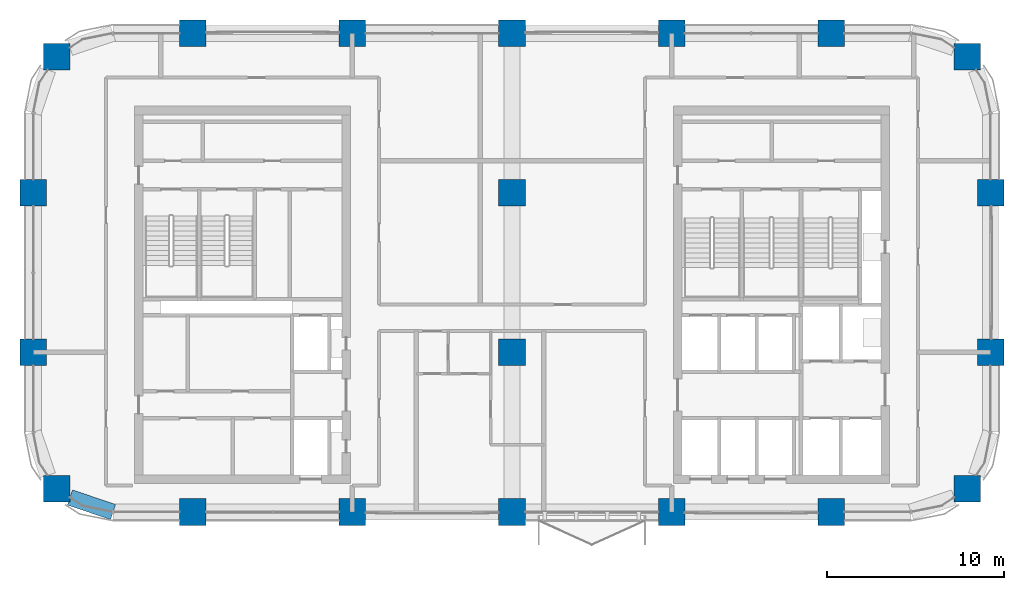
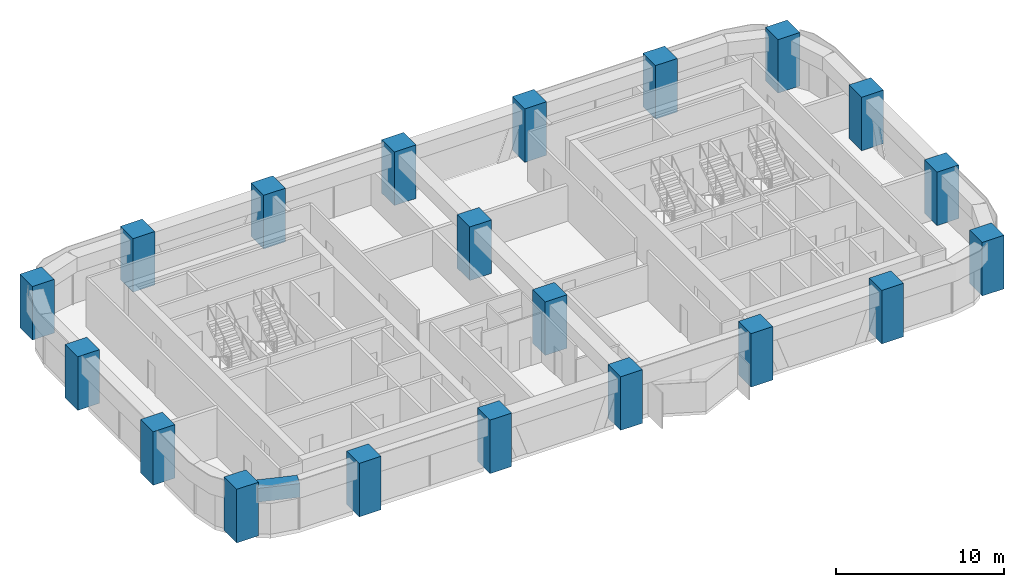
# One storey, part 1 of 14: 20 columns, 1 beam.
"""IFC4 building model written with IfcOpenShell, lengths in metres."""

from ifc_helpers import new_model, si_unit, direction, frame, origin, origin_2d, place, context, subcontext, project, spatial, rectangle, extrude, material, material_profile, profile_set, type_object, element, save


model = new_model("IFC4")

# Units and contexts
model_context = context("Model", 3, precision=1e-05, world=origin(), true_north=direction((0.0, 1.0)))
body_context = subcontext(model_context, "Body", "Model", "MODEL_VIEW")
ifc_project = project(units=[si_unit("LENGTHUNIT", "METRE"), si_unit("AREAUNIT", "SQUARE_METRE"), si_unit("VOLUMEUNIT", "CUBIC_METRE"), si_unit("PLANEANGLEUNIT", "RADIAN"), si_unit("MASSUNIT", "GRAM", prefix="KILO")], contexts=[model_context])

# Site, building, storey
site_placement = place(None, origin())
site = spatial("IfcSite", under=ifc_project, at=site_placement, CompositionType="ELEMENT")
building_placement = place(site_placement, origin())
building = spatial("IfcBuilding", under=site, at=building_placement, Name="Tessera Arch", CompositionType="ELEMENT")
storey_placement = place(building_placement, frame((0.0, 0.0, 146.60009765625)))
storey = spatial("IfcBuildingStorey", under=building, at=storey_placement, Name="L34", CompositionType="ELEMENT", Elevation=146.60009765625)

# Columns
ifc_material_1 = material(Name="Concrete C70/85", Category="concrete")
ifc_material_profile_1 = material_profile(ifc_material_1, rectangle(XDim=1.5, YDim=1.5, at=origin_2d()), Name="RC column 1500 x 1500 Concrete C70/85")
ifc_profile_set_1 = profile_set([ifc_material_profile_1], Name="Concrete C70/85")
column_type = type_object("IfcColumnType", Name="RC column 1500 x 1500 Concrete C70/85", PredefinedType="COLUMN", material=ifc_profile_set_1)
for number, where, z_axis, x_axis, name in (
    (1, (1.318115234375, 28.318115234375, 0.0), (0.0, 0.0, 1.0), (1.0, 0.0, 0.0), "Column C1D L34"),
    (2, (0.0, 36.0, 0.0), (0.0, 0.0, 1.0), (1.0, 0.0, 0.0), "Column C1E L34"),
    (3, (0.0, 45.0, 0.0), (0.0, 0.0, 1.0), (1.0, 0.0, 0.0), "Column C1F L34"),
    (4, (1.318115234375, 52.681884765625, 0.0), (0.0, 0.0, 1.0), (1.0, 0.0, 0.0), "Column C1G L34"),
    (5, (9.0, 27.0, 0.0), (0.0, 0.0, 1.0), (1.0, 0.0, 0.0), "Column C2D L34"),
    (6, (9.0, 54.0, 0.0), (0.0, 0.0, 1.0), (1.0, 0.0, 0.0), "Column C2G L34"),
    (7, (18.0, 27.0, 0.0), (0.0, 0.0, 1.0), (1.0, 0.0, 0.0), "Column C3D L34"),
    (8, (18.0, 54.0, 0.0), (0.0, 0.0, 1.0), (1.0, 0.0, 0.0), "Column C3G L34"),
    (9, (27.0, 27.0, 0.0), (0.0, 0.0, 1.0), (1.0, 0.0, 0.0), "Column C4D L34"),
    (10, (27.0, 36.0, 0.0), (0.0, 0.0, 1.0), (1.0, 0.0, 0.0), "Column C4E L34"),
    (11, (27.0, 45.0, 0.0), (0.0, 0.0, 1.0), (1.0, 0.0, 0.0), "Column C4F L34"),
    (12, (27.0, 54.0, 0.0), (0.0, 0.0, 1.0), (1.0, 0.0, 0.0), "Column C4G L34"),
    (13, (36.0, 27.0, 0.0), (0.0, 0.0, 1.0), (1.0, 0.0, 0.0), "Column C5D L34"),
    (14, (36.0, 54.0, 0.0), (0.0, 0.0, 1.0), (1.0, 0.0, 0.0), "Column C5G L34"),
    (15, (45.0, 27.0, 0.0), (0.0, 0.0, 1.0), (1.0, 0.0, 0.0), "Column C6D L34"),
    (16, (45.0, 54.0, 0.0), (0.0, 0.0, 1.0), (1.0, 0.0, 0.0), "Column C6G L34"),
    (17, (52.681884765625, 28.318115234375, 0.0), (0.0, 0.0, 1.0), (1.0, 0.0, 0.0), "Column C7D L34"),
    (18, (54.0, 36.0, 0.0), (0.0, 0.0, 1.0), (1.0, 0.0, 0.0), "Column C7E L34"),
    (19, (54.0, 45.0, 0.0), (0.0, 0.0, 1.0), (1.0, 0.0, 0.0), "Column C7F L34"),
    (20, (52.681884765625, 52.681884765625, 0.0), (0.0, 0.0, 1.0), (1.0, 0.0, 0.0), "Column C7G L34"),
):
    element("IfcColumn", number, at=place(storey_placement, frame(where, z_axis=z_axis, x_axis=x_axis)), inside=storey, type_object=column_type, Name=name, PredefinedType="COLUMN", context=body_context, shape_type="SweptSolid", body=[
        extrude(rectangle(XDim=1.5, YDim=1.5, at=origin_2d()), origin(), (0.0, 0.0, 1.0), 3.89990234375),
    ])

# Beam
ifc_material_2 = material(Name="Concrete C70/85", Category="concrete")
ifc_material_profile_2 = material_profile(ifc_material_2, rectangle(XDim=0.89990234375, YDim=1.0, at=origin_2d()), Name="RC spandrel beam 900 x 1000 Concrete C70/85")
ifc_profile_set_2 = profile_set([ifc_material_profile_2], Name="Concrete C70/85")
beam_type = type_object("IfcBeamType", Name="RC spandrel beam 900 x 1000 Concrete C70/85", PredefinedType="BEAM", material=ifc_profile_set_2)
beam_placement = place(storey_placement, frame((2.068115234375, 27.81689453125, 3.099853515625), z_axis=(0.947947973234, -0.31842525032, 0.0), x_axis=(0.31842525032, 0.947947973234, 0.0)))
element("IfcBeam", 21, at=beam_placement, inside=storey, type_object=beam_type, Name="Spandrel beam L34 S27.0/0.1", PredefinedType="BEAM", context=body_context, shape_type="SweptSolid", body=[
    extrude(rectangle(XDim=0.89990234375, YDim=1.0, at=origin_2d()), origin(), (0.0, 0.0, 1.0), 2.5654296875),
])

save(model, "model.ifc")
